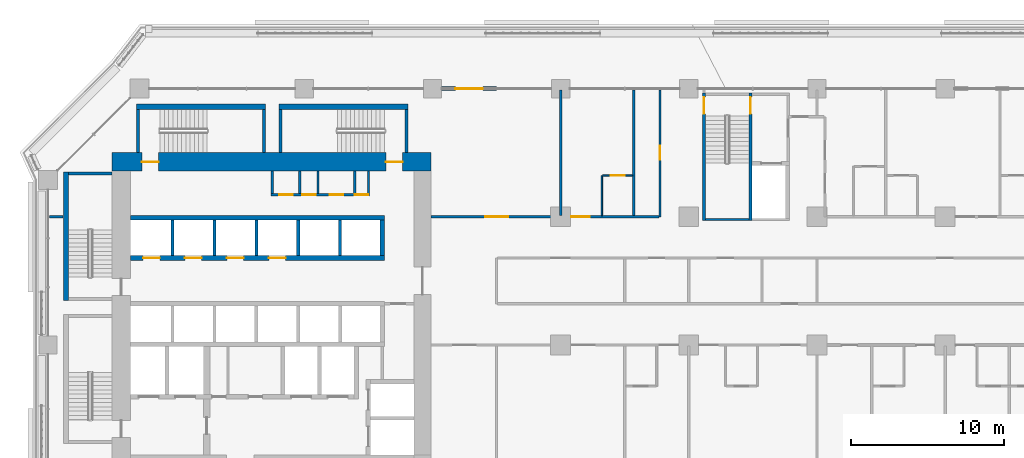
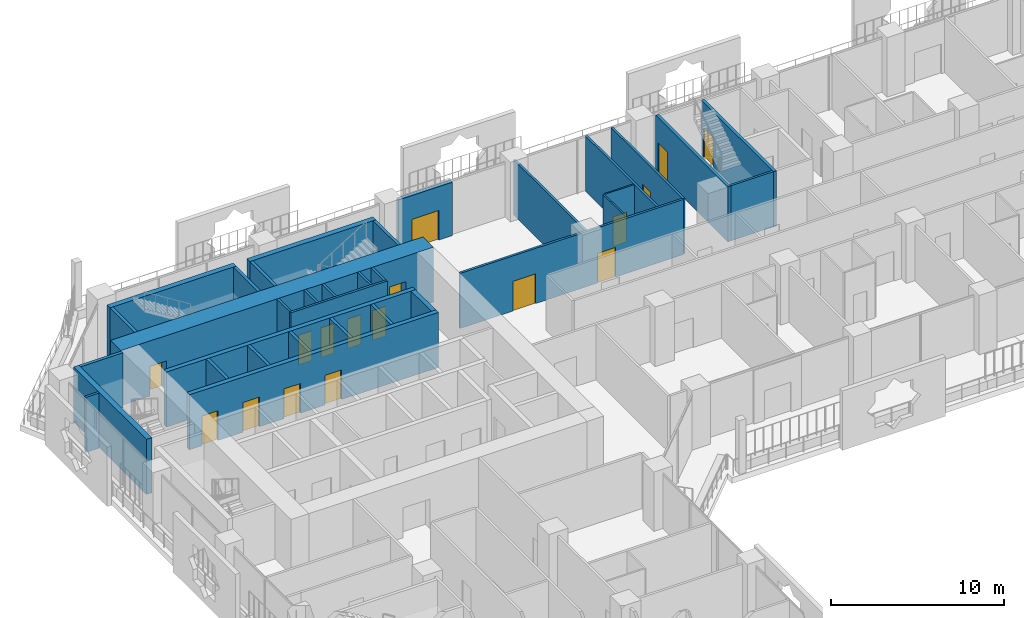
# One storey, part 17 of 27: 34 walls, 17 doors, 17 openings.
"""IFC4 building model written with IfcOpenShell, lengths in metres."""

import ifcopenshell
import ifcopenshell.guid

model = None  # the IFC model being written
_history = None  # IfcOwnerHistory: only IFC2X3 demands one
_inside = {}  # id of a spatial element -> (the spatial element, [elements in it])
_under = {}  # id of a project, library or spatial element -> (it, [spatial elements below it])
_declared = {}  # id of a project -> (the project, [libraries it declares])
_typed = {}  # id of a type object -> (the type object, [elements of that type])
_made_of = {}  # id of a material, layer set ... -> (it, [elements and type objects made of it])


def new_model(schema):
    """Start an empty IFC model of exactly this schema.

    Asked for "IFC4X3", IfcOpenShell would pick the latest addendum, in which some entities
    have other attributes; the version numbers below select the first issue.
    IFC2X3 requires an IfcOwnerHistory on every rooted entity: one is made here for all.
    """
    global model, _history
    if schema == "IFC4X3":
        model = ifcopenshell.file(schema_version=(4, 3, 0, 0))
    else:
        model = ifcopenshell.file(schema=schema)
    _inside.clear()
    _under.clear()
    _declared.clear()
    _typed.clear()
    _made_of.clear()
    _history = None
    if model.schema == "IFC2X3":
        org = make("IfcOrganization", Name="unknown")
        user = make(
            "IfcPersonAndOrganization",
            ThePerson=make("IfcPerson", FamilyName="unknown"),
            TheOrganization=org,
        )
        app = make(
            "IfcApplication",
            ApplicationDeveloper=org,
            Version="unknown",
            ApplicationFullName="unknown",
            ApplicationIdentifier="unknown",
        )
        _history = make(
            "IfcOwnerHistory",
            OwningUser=user,
            OwningApplication=app,
            ChangeAction="ADDED",
            CreationDate=0,
        )
    return model


def make(cls, **values):
    """One entity of the class cls with the attributes given. An attribute that is None is left unset."""
    return model.create_entity(
        cls, **{name: value for name, value in values.items() if value is not None}
    )


def rooted(cls, **values):
    """An entity with a GlobalId (a new one), such as an element, a storey or a relation."""
    return make(cls, GlobalId=ifcopenshell.guid.new(), OwnerHistory=_history, **values)


def si_unit(unit_type, name, prefix=None):
    """IfcSIUnit, for example si_unit("LENGTHUNIT", "METRE", prefix="MILLI")."""
    return make("IfcSIUnit", UnitType=unit_type, Prefix=prefix, Name=name)


def assignment(units):
    """IfcUnitAssignment: the units of a project."""
    return None if units is None else make("IfcUnitAssignment", Units=units)


def point(xyz):
    """IfcCartesianPoint."""
    return None if xyz is None else make("IfcCartesianPoint", Coordinates=xyz)


def direction(xyz):
    """IfcDirection."""
    return None if xyz is None else make("IfcDirection", DirectionRatios=xyz)


def frame(location, z_axis=None, x_axis=None):
    """IfcAxis2Placement3D, a coordinate frame: its origin and axes. An axis left out is left unset."""
    return make(
        "IfcAxis2Placement3D",
        Location=point(location),
        Axis=direction(z_axis),
        RefDirection=direction(x_axis),
    )


def frame_2d(location, x_axis=None):
    """IfcAxis2Placement2D, a coordinate frame in the plane: its origin and x axis."""
    return make(
        "IfcAxis2Placement2D", Location=point(location), RefDirection=direction(x_axis)
    )


def origin():
    """The frame at (0, 0, 0) with its axes left unset."""
    return frame((0.0, 0.0, 0.0))


def place(relative_to, where):
    """IfcLocalPlacement: puts the frame where relative to a parent placement (None: the world)."""
    return make(
        "IfcLocalPlacement", PlacementRelTo=relative_to, RelativePlacement=where
    )


def context(
    kind, dimensions, precision=None, world=None, true_north=None, identifier=None
):
    """IfcGeometricRepresentationContext, for example the 3D "Model" context."""
    return make(
        "IfcGeometricRepresentationContext",
        ContextIdentifier=identifier,
        ContextType=kind,
        CoordinateSpaceDimension=dimensions,
        Precision=precision,
        WorldCoordinateSystem=world,
        TrueNorth=true_north,
    )


def subcontext(parent, identifier, kind, view, scale=None):
    """IfcGeometricRepresentationSubContext, for example "Body" below "Model"."""
    return make(
        "IfcGeometricRepresentationSubContext",
        ContextIdentifier=identifier,
        ContextType=kind,
        ParentContext=parent,
        TargetScale=scale,
        TargetView=view,
    )


def project(units=None, contexts=None):
    """IfcProject with its units and contexts."""
    return rooted(
        "IfcProject",
        Name="project",
        RepresentationContexts=contexts,
        UnitsInContext=assignment(units),
    )


def spatial(cls, under=None, at=None, **own):
    """A site, building, storey or space (cls), placed at a placement, below another one or the project."""
    s = rooted(cls, ObjectPlacement=at, **own)
    if under is not None:
        _under.setdefault(under.id(), (under, []))[1].append(s)
    return s


def profile(cls, at=None, kind="AREA", **sizes):
    """A parametric profile (cls). Its sizes go by their IFC names, for example OverallWidth=200.0."""
    return make(cls, ProfileType=kind, Position=at, **sizes)


def rectangle(**sizes):
    """IfcRectangleProfileDef."""
    return profile("IfcRectangleProfileDef", **sizes)


def extrude(swept, where, along, depth):
    """IfcExtrudedAreaSolid: the profile swept, set in the frame where, extruded along a direction by depth."""
    return make(
        "IfcExtrudedAreaSolid",
        SweptArea=swept,
        Position=where,
        ExtrudedDirection=direction(along),
        Depth=depth,
    )


def shape(context_of_items, identifier, shape_type, items):
    """IfcShapeRepresentation: the items that make up one representation, for example the "Body"."""
    return make(
        "IfcShapeRepresentation",
        ContextOfItems=context_of_items,
        RepresentationIdentifier=identifier,
        RepresentationType=shape_type,
        Items=items,
    )


def material(Name=None, Category=None):
    """IfcMaterial."""
    return make("IfcMaterial", Name=Name, Category=Category)


def layer(
    of_material, thickness, ventilated=None, Name=None, Category=None, Priority=None
):
    """IfcMaterialLayer: one layer of a wall or slab, of a material (None: an air gap)."""
    return make(
        "IfcMaterialLayer",
        Material=of_material,
        LayerThickness=thickness,
        IsVentilated=ventilated,
        Name=Name,
        Category=Category,
        Priority=Priority,
    )


def layer_set(layers, Name=None):
    """IfcMaterialLayerSet."""
    return make("IfcMaterialLayerSet", MaterialLayers=layers, LayerSetName=Name)


def made_of(thing, what):
    """Note that an element or type object is made of a material, layer set ...; save() writes the relation."""
    if what is not None:
        _made_of.setdefault(what.id(), (what, []))[1].append(thing)
    return thing


def type_object(cls, material=None, **own):
    """A type object (cls), such as IfcWallType, which elements share."""
    return made_of(rooted(cls, **own), material)


def element(
    cls,
    number,
    at=None,
    inside=None,
    cuts=None,
    type_object=None,
    material=None,
    context=None,
    identifier="Body",
    shape_type=None,
    held_by="IfcProductDefinitionShape",
    body=None,
    shapes=None,
    **own,
):
    """One element of the class cls, such as IfcWall. Its Tag is "e" and its number.

    at: its placement. inside: the storey or other place that contains it. cuts: it is an
    opening in that element (IfcRelVoidsElement). A single representation is given by context,
    identifier, shape_type and body (its items); several are given by shapes. held_by: the class
    of the entity that holds the representations. save() writes the other relations.
    """
    e = rooted(cls, Tag="e%d" % number, ObjectPlacement=at, **own)
    if body is not None:
        shapes = [shape(context, identifier, shape_type, body)]
    if shapes is not None:
        e.Representation = make(held_by, Representations=shapes)
    if inside is not None:
        _inside.setdefault(inside.id(), (inside, []))[1].append(e)
    if cuts is not None:
        rooted(
            "IfcRelVoidsElement", RelatingBuildingElement=cuts, RelatedOpeningElement=e
        )
    if type_object is not None:
        _typed.setdefault(type_object.id(), (type_object, []))[1].append(e)
    return made_of(e, material)


def fill(opening, filler):
    """IfcRelFillsElement: the door or window that sits in an opening."""
    return rooted(
        "IfcRelFillsElement",
        RelatingOpeningElement=opening,
        RelatedBuildingElement=filler,
    )


def aggregate(whole, parts):
    """IfcRelAggregates: a whole, such as a stair, and the parts it consists of."""
    return rooted("IfcRelAggregates", RelatingObject=whole, RelatedObjects=parts)


def save(model, path):
    """Write the relations noted so far, then the file.

    IfcRelAggregates (storeys below a building ...), IfcRelContainedInSpatialStructure (elements
    in a storey), IfcRelDefinesByType, IfcRelAssociatesMaterial and IfcRelDeclares: one each for
    every whole, place, type object, material and project.
    """
    for whole, parts in _under.values():
        aggregate(whole, parts)
    for where, things in _inside.values():
        rooted(
            "IfcRelContainedInSpatialStructure",
            RelatedElements=things,
            RelatingStructure=where,
        )
    for kind, things in _typed.values():
        rooted("IfcRelDefinesByType", RelatedObjects=things, RelatingType=kind)
    for what, things in _made_of.values():
        rooted("IfcRelAssociatesMaterial", RelatedObjects=things, RelatingMaterial=what)
    for by, libraries in _declared.values():
        rooted("IfcRelDeclares", RelatingContext=by, RelatedDefinitions=libraries)
    model.write(path)


model = new_model("IFC4")

# Units and contexts
model_context = context("Model", 3, precision=1e-05, world=origin(), true_north=direction((0.0, 1.0)))
body_context = subcontext(model_context, "Body", "Model", "MODEL_VIEW")
ifc_project = project(units=[si_unit("LENGTHUNIT", "METRE"), si_unit("AREAUNIT", "SQUARE_METRE"), si_unit("VOLUMEUNIT", "CUBIC_METRE"), si_unit("PLANEANGLEUNIT", "RADIAN"), si_unit("MASSUNIT", "GRAM", prefix="KILO")], contexts=[model_context])

# Site, building, storey
site_placement = place(None, origin())
site = spatial("IfcSite", under=ifc_project, at=site_placement, CompositionType="ELEMENT")
building_placement = place(site_placement, origin())
building = spatial("IfcBuilding", under=site, at=building_placement, Name="Kawkab Arch Medical Tower", CompositionType="ELEMENT")
storey_placement = place(building_placement, frame((0.0, 0.0, 85.39990234375)))
storey = spatial("IfcBuildingStorey", under=building, at=storey_placement, Name="L19", CompositionType="ELEMENT", Elevation=85.39990234375)

# Wall, openings, doors
ifc_material_1 = material(Name="Concrete C60/75", Category="concrete")
ifc_layer_1 = layer(ifc_material_1, 1.199951171875)
ifc_layer_set_1 = layer_set([ifc_layer_1], Name="Concrete C60/75")
wall_type_1 = type_object("IfcWallType", Name="Core ring wall 1200 C60/75", PredefinedType="SHEAR", material=ifc_layer_set_1)
wall_1_placement = place(storey_placement, frame((4.199951171875, -4.800048828125, 0.0), z_axis=(0.0, 0.0, 1.0), x_axis=(1.0, 0.0, 0.0)))
wall_1 = element("IfcWall", 1, at=wall_1_placement, inside=storey, type_object=wall_type_1, Name="L19 core wall", PredefinedType="SHEAR", context=body_context, shape_type="SweptSolid", body=[
    extrude(rectangle(XDim=20.900146484375, YDim=1.199951171875, at=frame_2d((10.4501953125, 0.0))), origin(), (0.0, 0.0, 1.0), 3.900146484375),
])
opening_1_placement = place(wall_1_placement, frame((1.949951171875, 0.0, 0.0)))
opening_1 = element("IfcOpeningElement", 2, at=opening_1_placement, cuts=wall_1, Name="Opening SD", PredefinedType="OPENING", context=body_context, shape_type="SweptSolid", body=[
    extrude(rectangle(XDim=1.10009765625, YDim=2.10009765625, at=frame_2d((0.550048828125, 1.050048828125))), frame((0.0, 0.60986328125, 0.0), z_axis=(0.0, -1.0, 0.0), x_axis=(1.0, 0.0, 0.0)), (0.0, 0.0, 1.0), 1.219970703125),
])
opening_2_placement = place(wall_1_placement, frame((17.949951171875, 0.0, 0.0)))
opening_2 = element("IfcOpeningElement", 3, at=opening_2_placement, cuts=wall_1, Name="Opening SD", PredefinedType="OPENING", context=body_context, shape_type="SweptSolid", body=[
    extrude(rectangle(XDim=1.10009765625, YDim=2.10009765625, at=frame_2d((0.550048828125, 1.050048828125))), frame((0.0, 0.60986328125, 0.0), z_axis=(0.0, -1.0, 0.0), x_axis=(1.0, 0.0, 0.0)), (0.0, 0.0, 1.0), 1.219970703125),
])
ifc_material_2 = material(Name="Hollow metal fire door leaf")
door_type_1 = type_object("IfcDoorType", Name="Exit stair door 1100", OperationType="SINGLE_SWING_LEFT", PredefinedType="DOOR", material=ifc_material_2)
door_1_placement = place(opening_1_placement, origin())
door_1 = element("IfcDoor", 4, at=door_1_placement, inside=storey, type_object=door_type_1, Name="L19 Exit stair ST3 door", OperationType="SINGLE_SWING_LEFT", OverallHeight=2.10009765625, OverallWidth=1.10009765625, PredefinedType="DOOR", context=body_context, shape_type="SweptSolid", body=[
    extrude(rectangle(XDim=1.10009765625, YDim=2.10009765625, at=frame_2d((0.550048828125, 1.050048828125))), frame((0.0, 0.02490234375, 0.0), z_axis=(0.0, -1.0, 0.0), x_axis=(1.0, 0.0, 0.0)), (0.0, 0.0, 1.0), 0.050048828125),
])
fill(opening_1, door_1)
door_2_placement = place(opening_2_placement, origin())
door_2 = element("IfcDoor", 5, at=door_2_placement, inside=storey, type_object=door_type_1, Name="L19 Exit stair ST4 door", OperationType="SINGLE_SWING_LEFT", OverallHeight=2.10009765625, OverallWidth=1.10009765625, PredefinedType="DOOR", context=body_context, shape_type="SweptSolid", body=[
    extrude(rectangle(XDim=1.10009765625, YDim=2.10009765625, at=frame_2d((0.550048828125, 1.050048828125))), frame((0.0, 0.02490234375, 0.0), z_axis=(0.0, -1.0, 0.0), x_axis=(1.0, 0.0, 0.0)), (0.0, 0.0, 1.0), 0.050048828125),
])
fill(opening_2, door_2)

ifc_material_3 = material(Name="Gypsum board on steel studs", Category="steel")
ifc_layer_2 = layer(ifc_material_3, 0.14990234375)
ifc_layer_set_2 = layer_set([ifc_layer_2], Name="Gypsum board on steel studs")
wall_type_2 = type_object("IfcWallType", Name="Core room partition 150", PredefinedType="PARTITIONING", material=ifc_layer_set_2)
wall_2_placement = place(storey_placement, frame((14.625, -6.949951171875, 0.0), z_axis=(0.0, 0.0, 1.0), x_axis=(1.0, 0.0, 0.0)))
wall_2 = element("IfcWall", 6, at=wall_2_placement, inside=storey, type_object=wall_type_2, Name="L19 core room partition", PredefinedType="PARTITIONING", context=body_context, shape_type="SweptSolid", body=[
    extrude(rectangle(XDim=6.449951171875, YDim=0.14990234375, at=frame_2d((3.22509765625, 0.0))), origin(), (0.0, 0.0, 1.0), 3.900146484375),
])
opening_3_placement = place(wall_2_placement, frame((0.52490234375, 0.0, 0.0)))
opening_3 = element("IfcOpeningElement", 7, at=opening_3_placement, cuts=wall_2, Name="Opening RD", PredefinedType="OPENING", context=body_context, shape_type="SweptSolid", body=[
    extrude(rectangle(XDim=0.89990234375, YDim=2.10009765625, at=frame_2d((0.449951171875, 1.050048828125))), frame((0.0, 0.0849609375, 0.0), z_axis=(0.0, -1.0, 0.0), x_axis=(1.0, 0.0, 0.0)), (0.0, 0.0, 1.0), 0.169921875),
])
opening_4_placement = place(wall_2_placement, frame((2.02490234375, 0.0, 0.0)))
opening_4 = element("IfcOpeningElement", 8, at=opening_4_placement, cuts=wall_2, Name="Opening RD", PredefinedType="OPENING", context=body_context, shape_type="SweptSolid", body=[
    extrude(rectangle(XDim=0.89990234375, YDim=2.10009765625, at=frame_2d((0.449951171875, 1.050048828125))), frame((0.0, 0.0849609375, 0.0), z_axis=(0.0, -1.0, 0.0), x_axis=(1.0, 0.0, 0.0)), (0.0, 0.0, 1.0), 0.169921875),
])
opening_5_placement = place(wall_2_placement, frame((3.824951171875, 0.0, 0.0)))
opening_5 = element("IfcOpeningElement", 9, at=opening_5_placement, cuts=wall_2, Name="Opening RD", PredefinedType="OPENING", context=body_context, shape_type="SweptSolid", body=[
    extrude(rectangle(XDim=0.89990234375, YDim=2.10009765625, at=frame_2d((0.449951171875, 1.050048828125))), frame((0.0, 0.0849609375, 0.0), z_axis=(0.0, -1.0, 0.0), x_axis=(1.0, 0.0, 0.0)), (0.0, 0.0, 1.0), 0.169921875),
])
opening_6_placement = place(wall_2_placement, frame((5.47509765625, 0.0, 0.0)))
opening_6 = element("IfcOpeningElement", 10, at=opening_6_placement, cuts=wall_2, Name="Opening RD", PredefinedType="OPENING", context=body_context, shape_type="SweptSolid", body=[
    extrude(rectangle(XDim=0.89990234375, YDim=2.10009765625, at=frame_2d((0.449951171875, 1.050048828125))), frame((0.0, 0.0849609375, 0.0), z_axis=(0.0, -1.0, 0.0), x_axis=(1.0, 0.0, 0.0)), (0.0, 0.0, 1.0), 0.169921875),
])
ifc_material_4 = material(Name="Hollow metal fire door leaf")
door_type_2 = type_object("IfcDoorType", Name="Core room door 900", OperationType="SINGLE_SWING_LEFT", PredefinedType="DOOR", material=ifc_material_4)
door_3_placement = place(opening_3_placement, origin())
door_3 = element("IfcDoor", 11, at=door_3_placement, inside=storey, type_object=door_type_2, Name="L19 Data room door", OperationType="SINGLE_SWING_LEFT", OverallHeight=2.10009765625, OverallWidth=0.89990234375, PredefinedType="DOOR", context=body_context, shape_type="SweptSolid", body=[
    extrude(rectangle(XDim=0.89990234375, YDim=2.10009765625, at=frame_2d((0.449951171875, 1.050048828125))), frame((0.0, 0.02490234375, 0.0), z_axis=(0.0, -1.0, 0.0), x_axis=(1.0, 0.0, 0.0)), (0.0, 0.0, 1.0), 0.050048828125),
])
fill(opening_3, door_3)
door_4_placement = place(opening_4_placement, origin())
door_4 = element("IfcDoor", 12, at=door_4_placement, inside=storey, type_object=door_type_2, Name="L19 Electrical riser room door", OperationType="SINGLE_SWING_LEFT", OverallHeight=2.10009765625, OverallWidth=0.89990234375, PredefinedType="DOOR", context=body_context, shape_type="SweptSolid", body=[
    extrude(rectangle(XDim=0.89990234375, YDim=2.10009765625, at=frame_2d((0.449951171875, 1.050048828125))), frame((0.0, 0.02490234375, 0.0), z_axis=(0.0, -1.0, 0.0), x_axis=(1.0, 0.0, 0.0)), (0.0, 0.0, 1.0), 0.050048828125),
])
fill(opening_4, door_4)
door_5_placement = place(opening_5_placement, origin())
door_5 = element("IfcDoor", 13, at=door_5_placement, inside=storey, type_object=door_type_2, Name="L19 Equipment store door", OperationType="SINGLE_SWING_LEFT", OverallHeight=2.10009765625, OverallWidth=0.89990234375, PredefinedType="DOOR", context=body_context, shape_type="SweptSolid", body=[
    extrude(rectangle(XDim=0.89990234375, YDim=2.10009765625, at=frame_2d((0.449951171875, 1.050048828125))), frame((0.0, 0.02490234375, 0.0), z_axis=(0.0, -1.0, 0.0), x_axis=(1.0, 0.0, 0.0)), (0.0, 0.0, 1.0), 0.050048828125),
])
fill(opening_5, door_5)
door_6_placement = place(opening_6_placement, origin())
door_6 = element("IfcDoor", 14, at=door_6_placement, inside=storey, type_object=door_type_2, Name="L19 General store door", OperationType="SINGLE_SWING_LEFT", OverallHeight=2.10009765625, OverallWidth=0.89990234375, PredefinedType="DOOR", context=body_context, shape_type="SweptSolid", body=[
    extrude(rectangle(XDim=0.89990234375, YDim=2.10009765625, at=frame_2d((0.449951171875, 1.050048828125))), frame((0.0, 0.02490234375, 0.0), z_axis=(0.0, -1.0, 0.0), x_axis=(1.0, 0.0, 0.0)), (0.0, 0.0, 1.0), 0.050048828125),
])
fill(opening_6, door_6)

# Walls
for number, where, z_axis, x_axis, name in (
    (15, (14.699951171875, -6.875, 0.0), (0.0, 0.0, 1.0), (0.0, 1.0, 0.0), "L19 core room partition"),
    (16, (16.5, -6.875, 0.0), (0.0, 0.0, 1.0), (0.0, 1.0, 0.0), "L19 core room partition"),
    (17, (17.699951171875, -6.875, 0.0), (0.0, 0.0, 1.0), (0.0, 1.0, 0.0), "L19 core room partition"),
    (18, (20.10009765625, -6.875, 0.0), (0.0, 0.0, 1.0), (0.0, 1.0, 0.0), "L19 core room partition"),
    (19, (21.0, -6.875, 0.0), (0.0, 0.0, 1.0), (0.0, 1.0, 0.0), "L19 core room partition"),
):
    element("IfcWall", number, at=place(storey_placement, frame(where, z_axis=z_axis, x_axis=x_axis)), inside=storey, type_object=wall_type_2, Name=name, PredefinedType="PARTITIONING", context=body_context, shape_type="SweptSolid", body=[
        extrude(rectangle(XDim=1.47509765625, YDim=0.14990234375, at=frame_2d((0.737548828125, 0.0))), origin(), (0.0, 0.0, 1.0), 3.900146484375),
    ])
ifc_material_5 = material(Name="Concrete C60/75", Category="concrete")
ifc_layer_3 = layer(ifc_material_5, 0.300048828125)
ifc_layer_set_3 = layer_set([ifc_layer_3], Name="Concrete C60/75")
wall_type_3 = type_object("IfcWallType", Name="Core shear wall 300 C60/75", PredefinedType="SHEAR", material=ifc_layer_set_3)
wall_3_placement = place(storey_placement, frame((5.39990234375, -8.449951171875, 0.0), z_axis=(0.0, 0.0, 1.0), x_axis=(1.0, 0.0, 0.0)))
element("IfcWall", 20, at=wall_3_placement, inside=storey, type_object=wall_type_3, Name="L19 core shear wall", PredefinedType="SHEAR", context=body_context, shape_type="SweptSolid", body=[
    extrude(rectangle(XDim=16.650146484375, YDim=0.300048828125, at=frame_2d((8.3251953125, 0.0))), origin(), (0.0, 0.0, 1.0), 3.900146484375),
])

# Wall, openings, doors
wall_4_placement = place(storey_placement, frame((5.39990234375, -11.10009765625, 0.0), z_axis=(0.0, 0.0, 1.0), x_axis=(1.0, 0.0, 0.0)))
wall_4 = element("IfcWall", 21, at=wall_4_placement, inside=storey, type_object=wall_type_3, Name="L19 core shear wall", PredefinedType="SHEAR", context=body_context, shape_type="SweptSolid", body=[
    extrude(rectangle(XDim=16.650146484375, YDim=0.300048828125, at=frame_2d((8.3251953125, 0.0))), origin(), (0.0, 0.0, 1.0), 3.900146484375),
])
opening_7_placement = place(wall_4_placement, frame((0.824951171875, 0.0, 0.0)))
opening_7 = element("IfcOpeningElement", 22, at=opening_7_placement, cuts=wall_4, Name="Opening LD1", PredefinedType="OPENING", context=body_context, shape_type="SweptSolid", body=[
    extrude(rectangle(XDim=1.10009765625, YDim=2.10009765625, at=frame_2d((0.550048828125, 1.050048828125))), frame((0.0, 0.159912109375, 0.0), z_axis=(0.0, -1.0, 0.0), x_axis=(1.0, 0.0, 0.0)), (0.0, 0.0, 1.0), 0.320068359375),
])
opening_8_placement = place(wall_4_placement, frame((3.574951171875, 0.0, 0.0)))
opening_8 = element("IfcOpeningElement", 23, at=opening_8_placement, cuts=wall_4, Name="Opening LD1", PredefinedType="OPENING", context=body_context, shape_type="SweptSolid", body=[
    extrude(rectangle(XDim=1.10009765625, YDim=2.10009765625, at=frame_2d((0.550048828125, 1.050048828125))), frame((0.0, 0.159912109375, 0.0), z_axis=(0.0, -1.0, 0.0), x_axis=(1.0, 0.0, 0.0)), (0.0, 0.0, 1.0), 0.320068359375),
])
opening_9_placement = place(wall_4_placement, frame((6.324951171875, 0.0, 0.0)))
opening_9 = element("IfcOpeningElement", 24, at=opening_9_placement, cuts=wall_4, Name="Opening LD1", PredefinedType="OPENING", context=body_context, shape_type="SweptSolid", body=[
    extrude(rectangle(XDim=1.10009765625, YDim=2.10009765625, at=frame_2d((0.550048828125, 1.050048828125))), frame((0.0, 0.159912109375, 0.0), z_axis=(0.0, -1.0, 0.0), x_axis=(1.0, 0.0, 0.0)), (0.0, 0.0, 1.0), 0.320068359375),
])
opening_10_placement = place(wall_4_placement, frame((9.074951171875, 0.0, 0.0)))
opening_10 = element("IfcOpeningElement", 25, at=opening_10_placement, cuts=wall_4, Name="Opening LD1", PredefinedType="OPENING", context=body_context, shape_type="SweptSolid", body=[
    extrude(rectangle(XDim=1.10009765625, YDim=2.10009765625, at=frame_2d((0.550048828125, 1.050048828125))), frame((0.0, 0.159912109375, 0.0), z_axis=(0.0, -1.0, 0.0), x_axis=(1.0, 0.0, 0.0)), (0.0, 0.0, 1.0), 0.320068359375),
])
ifc_material_6 = material(Name="Stainless steel lift door leaf", Category="steel")
door_type_3 = type_object("IfcDoorType", Name="Lift landing door 1100", OperationType="DOUBLE_DOOR_SLIDING", PredefinedType="DOOR", material=ifc_material_6)
door_7_placement = place(opening_7_placement, origin())
door_7 = element("IfcDoor", 26, at=door_7_placement, inside=storey, type_object=door_type_3, Name="L19 Lift landing door LP1", OperationType="DOUBLE_DOOR_SLIDING", OverallHeight=2.10009765625, OverallWidth=1.10009765625, PredefinedType="DOOR", context=body_context, shape_type="SweptSolid", body=[
    extrude(rectangle(XDim=1.10009765625, YDim=2.10009765625, at=frame_2d((0.550048828125, 1.050048828125))), frame((0.0, 0.02490234375, 0.0), z_axis=(0.0, -1.0, 0.0), x_axis=(1.0, 0.0, 0.0)), (0.0, 0.0, 1.0), 0.050048828125),
])
fill(opening_7, door_7)
door_8_placement = place(opening_8_placement, origin())
door_8 = element("IfcDoor", 27, at=door_8_placement, inside=storey, type_object=door_type_3, Name="L19 Lift landing door LP2", OperationType="DOUBLE_DOOR_SLIDING", OverallHeight=2.10009765625, OverallWidth=1.10009765625, PredefinedType="DOOR", context=body_context, shape_type="SweptSolid", body=[
    extrude(rectangle(XDim=1.10009765625, YDim=2.10009765625, at=frame_2d((0.550048828125, 1.050048828125))), frame((0.0, 0.02490234375, 0.0), z_axis=(0.0, -1.0, 0.0), x_axis=(1.0, 0.0, 0.0)), (0.0, 0.0, 1.0), 0.050048828125),
])
fill(opening_8, door_8)
door_9_placement = place(opening_9_placement, origin())
door_9 = element("IfcDoor", 28, at=door_9_placement, inside=storey, type_object=door_type_3, Name="L19 Lift landing door LP3", OperationType="DOUBLE_DOOR_SLIDING", OverallHeight=2.10009765625, OverallWidth=1.10009765625, PredefinedType="DOOR", context=body_context, shape_type="SweptSolid", body=[
    extrude(rectangle(XDim=1.10009765625, YDim=2.10009765625, at=frame_2d((0.550048828125, 1.050048828125))), frame((0.0, 0.02490234375, 0.0), z_axis=(0.0, -1.0, 0.0), x_axis=(1.0, 0.0, 0.0)), (0.0, 0.0, 1.0), 0.050048828125),
])
fill(opening_9, door_9)
door_10_placement = place(opening_10_placement, origin())
door_10 = element("IfcDoor", 29, at=door_10_placement, inside=storey, type_object=door_type_3, Name="L19 Lift landing door LP4", OperationType="DOUBLE_DOOR_SLIDING", OverallHeight=2.10009765625, OverallWidth=1.10009765625, PredefinedType="DOOR", context=body_context, shape_type="SweptSolid", body=[
    extrude(rectangle(XDim=1.10009765625, YDim=2.10009765625, at=frame_2d((0.550048828125, 1.050048828125))), frame((0.0, 0.02490234375, 0.0), z_axis=(0.0, -1.0, 0.0), x_axis=(1.0, 0.0, 0.0)), (0.0, 0.0, 1.0), 0.050048828125),
])
fill(opening_10, door_10)

# Wall
wall_5_placement = place(storey_placement, frame((21.89990234375, -10.949951171875, 0.0), z_axis=(0.0, 0.0, 1.0), x_axis=(0.0, 1.0, 0.0)))
element("IfcWall", 30, at=wall_5_placement, inside=storey, type_object=wall_type_3, Name="L19 core shear wall", PredefinedType="SHEAR", context=body_context, shape_type="SweptSolid", body=[
    extrude(rectangle(XDim=2.349853515625, YDim=0.300048828125, at=frame_2d((1.1748046875, 0.0))), origin(), (0.0, 0.0, 1.0), 3.900146484375),
])

# Wall, opening, door
ifc_material_7 = material(Name="Bronze clad insulated wall panel")
ifc_layer_4 = layer(ifc_material_7, 0.25)
ifc_layer_set_4 = layer_set([ifc_layer_4], Name="Bronze clad insulated wall panel")
wall_type_4 = type_object("IfcWallType", Name="External wall bay 250", PredefinedType="SOLIDWALL", material=ifc_layer_set_4)
wall_6_placement = place(storey_placement, frame((29.39990234375, 0.0, 0.0), z_axis=(0.0, 0.0, 1.0), x_axis=(-1.0, 0.0, 0.0)))
wall_6 = element("IfcWall", 31, at=wall_6_placement, inside=storey, type_object=wall_type_4, Name="External wall bay L19.R11.6.2", PredefinedType="SOLIDWALL", context=body_context, shape_type="SweptSolid", body=[
    extrude(rectangle(XDim=3.599853515625, YDim=0.25, at=frame_2d((1.7998046875, 0.0))), origin(), (0.0, 0.0, 1.0), 3.780029296875),
])
opening_11_placement = place(wall_6_placement, frame((0.89990234375, 0.0, 0.0)))
opening_11 = element("IfcOpeningElement", 32, at=opening_11_placement, cuts=wall_6, Name="Opening W15B-702", PredefinedType="OPENING", context=body_context, shape_type="SweptSolid", body=[
    extrude(rectangle(XDim=1.800048828125, YDim=2.10009765625, at=frame_2d((0.89990234375, 1.050048828125))), frame((0.0, 0.135009765625, 0.0), z_axis=(0.0, -1.0, 0.0), x_axis=(1.0, 0.0, 0.0)), (0.0, 0.0, 1.0), 0.27001953125),
])
ifc_material_8 = material(Name="Bronze anodised aluminium door with tinted glass", Category="aluminium")
door_type_4 = type_object("IfcDoorType", Name="Double external door 1800 x 2100", OperationType="DOUBLE_DOOR_SINGLE_SWING", PredefinedType="DOOR", material=ifc_material_8)
door_11_placement = place(opening_11_placement, origin())
door_11 = element("IfcDoor", 33, at=door_11_placement, inside=storey, type_object=door_type_4, Name="External door L19.R11.6.2", OperationType="DOUBLE_DOOR_SINGLE_SWING", OverallHeight=2.10009765625, OverallWidth=1.800048828125, PredefinedType="DOOR", context=body_context, shape_type="SweptSolid", body=[
    extrude(rectangle(XDim=1.800048828125, YDim=2.10009765625, at=frame_2d((0.89990234375, 1.050048828125))), frame((0.0, 0.02490234375, 0.0), z_axis=(0.0, -1.0, 0.0), x_axis=(1.0, 0.0, 0.0)), (0.0, 0.0, 1.0), 0.050048828125),
])
fill(opening_11, door_11)

# Walls
ifc_material_9 = material(Name="Dense concrete blockwork", Category="masonry")
ifc_layer_5 = layer(ifc_material_9, 0.199951171875)
ifc_layer_set_5 = layer_set([ifc_layer_5], Name="Dense concrete blockwork")
wall_type_5 = type_object("IfcWallType", Name="Lift shaft partition 200", PredefinedType="PARTITIONING", material=ifc_layer_set_5)
for number, where, z_axis, x_axis, name in (
    (34, (8.14990234375, -10.949951171875, 0.0), (0.0, 0.0, 1.0), (0.0, 1.0, 0.0), "L19 lift shaft partition"),
    (35, (10.89990234375, -10.949951171875, 0.0), (0.0, 0.0, 1.0), (0.0, 1.0, 0.0), "L19 lift shaft partition"),
    (36, (13.64990234375, -10.949951171875, 0.0), (0.0, 0.0, 1.0), (0.0, 1.0, 0.0), "L19 lift shaft partition"),
    (37, (16.39990234375, -10.949951171875, 0.0), (0.0, 0.0, 1.0), (0.0, 1.0, 0.0), "L19 lift shaft partition"),
    (38, (19.14990234375, -10.949951171875, 0.0), (0.0, 0.0, 1.0), (0.0, 1.0, 0.0), "L19 lift shaft partition"),
):
    element("IfcWall", number, at=place(storey_placement, frame(where, z_axis=z_axis, x_axis=x_axis)), inside=storey, type_object=wall_type_5, Name=name, PredefinedType="PARTITIONING", context=body_context, shape_type="SweptSolid", body=[
        extrude(rectangle(XDim=2.349853515625, YDim=0.199951171875, at=frame_2d((1.1748046875, 0.0))), origin(), (0.0, 0.0, 1.0), 3.900146484375),
    ])

# Wall, opening, door
ifc_material_10 = material(Name="Gypsum board partition on steel studs", Category="steel")
ifc_layer_6 = layer(ifc_material_10, 0.10009765625)
ifc_layer_set_6 = layer_set([ifc_layer_6], Name="Gypsum board partition on steel studs")
wall_type_6 = type_object("IfcWallType", Name="Partition 100", PredefinedType="PARTITIONING", material=ifc_layer_set_6)
wall_7_placement = place(storey_placement, frame((36.35009765625, -5.699951171875, 0.0), z_axis=(0.0, 0.0, 1.0), x_axis=(1.0, 0.0, 0.0)))
wall_7 = element("IfcWall", 39, at=wall_7_placement, inside=storey, type_object=wall_type_6, Name="Partition 100 w015", PredefinedType="PARTITIONING", context=body_context, shape_type="SweptSolid", body=[
    extrude(rectangle(XDim=1.974853515625, YDim=0.10009765625, at=frame_2d((0.9873046875, 0.0))), origin(), (0.0, 0.0, 1.0), 3.900146484375),
])
opening_12_placement = place(wall_7_placement, frame((0.550048828125, 0.0, 0.0)))
opening_12 = element("IfcOpeningElement", 40, at=opening_12_placement, cuts=wall_7, Name="Opening W15B-009", PredefinedType="OPENING", context=body_context, shape_type="SweptSolid", body=[
    extrude(rectangle(XDim=0.89990234375, YDim=2.10009765625, at=frame_2d((0.449951171875, 1.050048828125))), frame((0.0, 0.06005859375, 0.0), z_axis=(0.0, -1.0, 0.0), x_axis=(1.0, 0.0, 0.0)), (0.0, 0.0, 1.0), 0.1201171875),
])
ifc_material_11 = material(Name="Timber door leaf", Category="wood")
door_type_5 = type_object("IfcDoorType", Name="Single door 900x2100", OperationType="NOTDEFINED", PredefinedType="DOOR", material=ifc_material_11)
door_12_placement = place(opening_12_placement, origin())
door_12 = element("IfcDoor", 41, at=door_12_placement, inside=storey, type_object=door_type_5, Name="Door W15B-009", OperationType="SINGLE_SWING_RIGHT", OverallHeight=2.10009765625, OverallWidth=0.89990234375, PredefinedType="DOOR", context=body_context, shape_type="SweptSolid", body=[
    extrude(rectangle(XDim=0.89990234375, YDim=2.10009765625, at=frame_2d((0.449951171875, 1.050048828125))), frame((0.0, 0.02490234375, 0.0), z_axis=(0.0, -1.0, 0.0), x_axis=(1.0, 0.0, 0.0)), (0.0, 0.0, 1.0), 0.050048828125),
])
fill(opening_12, door_12)

# Walls
wall_8_placement = place(storey_placement, frame((36.300048828125, -8.324951171875, 0.0), z_axis=(0.0, 0.0, 1.0), x_axis=(0.0, 1.0, 0.0)))
element("IfcWall", 42, at=wall_8_placement, inside=storey, type_object=wall_type_6, Name="Partition 100 w027", PredefinedType="PARTITIONING", context=body_context, shape_type="SweptSolid", body=[
    extrude(rectangle(XDim=2.625, YDim=0.10009765625, at=frame_2d((1.3125, 0.0))), origin(), (0.0, 0.0, 1.0), 3.900146484375),
])
ifc_material_12 = material(Name="Gypsum board partition on steel studs, mineral wool", Category="steel")
ifc_layer_7 = layer(ifc_material_12, 0.14990234375)
ifc_layer_set_7 = layer_set([ifc_layer_7], Name="Gypsum board partition on steel studs, mineral wool")
wall_type_7 = type_object("IfcWallType", Name="Partition 150", PredefinedType="PARTITIONING", material=ifc_layer_set_7)
wall_9_placement = place(storey_placement, frame((0.080078125, -8.39990234375, 0.0), z_axis=(0.0, 0.0, 1.0), x_axis=(1.0, 0.0, 0.0)))
element("IfcWall", 43, at=wall_9_placement, inside=storey, type_object=wall_type_7, Name="Partition 150 w066", PredefinedType="PARTITIONING", context=body_context, shape_type="SweptSolid", body=[
    extrude(rectangle(XDim=0.889892578125, YDim=0.14990234375, at=frame_2d((0.44482421875, 0.0))), origin(), (0.0, 0.0, 1.0), 3.900146484375),
])

# Wall, openings, doors
wall_10_placement = place(storey_placement, frame((25.10009765625, -8.39990234375, 0.0), z_axis=(0.0, 0.0, 1.0), x_axis=(1.0, 0.0, 0.0)))
wall_10 = element("IfcWall", 44, at=wall_10_placement, inside=storey, type_object=wall_type_7, Name="Partition 150 w067", PredefinedType="PARTITIONING", context=body_context, shape_type="SweptSolid", body=[
    extrude(rectangle(XDim=14.931884765625, YDim=0.14990234375, at=frame_2d((7.4658203125, 0.0))), origin(), (0.0, 0.0, 1.0), 3.900146484375),
])
opening_13_placement = place(wall_10_placement, frame((3.550048828125, 0.0, 0.0)))
opening_13 = element("IfcOpeningElement", 45, at=opening_13_placement, cuts=wall_10, Name="Opening W15B-002", PredefinedType="OPENING", context=body_context, shape_type="SweptSolid", body=[
    extrude(rectangle(XDim=1.5, YDim=2.10009765625, at=frame_2d((0.75, 1.050048828125))), frame((0.0, 0.0849609375, 0.0), z_axis=(0.0, -1.0, 0.0), x_axis=(1.0, 0.0, 0.0)), (0.0, 0.0, 1.0), 0.169921875),
])
opening_14_placement = place(wall_10_placement, frame((9.199951171875, 0.0, 0.0)))
opening_14 = element("IfcOpeningElement", 46, at=opening_14_placement, cuts=wall_10, Name="Opening W15B-046", PredefinedType="OPENING", context=body_context, shape_type="SweptSolid", body=[
    extrude(rectangle(XDim=1.199951171875, YDim=2.10009765625, at=frame_2d((0.60009765625, 1.050048828125))), frame((0.0, 0.0849609375, 0.0), z_axis=(0.0, -1.0, 0.0), x_axis=(1.0, 0.0, 0.0)), (0.0, 0.0, 1.0), 0.169921875),
])
ifc_material_13 = material(Name="Hollow metal door leaf")
door_type_6 = type_object("IfcDoorType", Name="Double door 1500x2100 FD30S", OperationType="NOTDEFINED", PredefinedType="DOOR", material=ifc_material_13)
door_13_placement = place(opening_13_placement, origin())
door_13 = element("IfcDoor", 47, at=door_13_placement, inside=storey, type_object=door_type_6, Name="Door W15B-002", OperationType="DOUBLE_DOOR_SINGLE_SWING", OverallHeight=2.10009765625, OverallWidth=1.5, PredefinedType="DOOR", context=body_context, shape_type="SweptSolid", body=[
    extrude(rectangle(XDim=1.5, YDim=2.10009765625, at=frame_2d((0.75, 1.050048828125))), frame((0.0, 0.02490234375, 0.0), z_axis=(0.0, -1.0, 0.0), x_axis=(1.0, 0.0, 0.0)), (0.0, 0.0, 1.0), 0.050048828125),
])
fill(opening_13, door_13)
ifc_material_14 = material(Name="Hollow metal door leaf")
door_type_7 = type_object("IfcDoorType", Name="Single door 1200x2100 FD30S", OperationType="NOTDEFINED", PredefinedType="DOOR", material=ifc_material_14)
door_14_placement = place(opening_14_placement, origin())
door_14 = element("IfcDoor", 48, at=door_14_placement, inside=storey, type_object=door_type_7, Name="Door W15B-046", OperationType="SINGLE_SWING_RIGHT", OverallHeight=2.10009765625, OverallWidth=1.199951171875, PredefinedType="DOOR", context=body_context, shape_type="SweptSolid", body=[
    extrude(rectangle(XDim=1.199951171875, YDim=2.10009765625, at=frame_2d((0.60009765625, 1.050048828125))), frame((0.0, 0.02490234375, 0.0), z_axis=(0.0, -1.0, 0.0), x_axis=(1.0, 0.0, 0.0)), (0.0, 0.0, 1.0), 0.050048828125),
])
fill(opening_14, door_14)

# Walls
for number, where, z_axis, x_axis, name in (
    (49, (33.60009765625, -8.324951171875, 0.0), (0.0, 0.0, 1.0), (0.0, 1.0, 0.0), "Partition 150 w081"),
    (50, (38.39990234375, -8.324951171875, 0.0), (0.0, 0.0, 1.0), (0.0, 1.0, 0.0), "Partition 150 w084"),
):
    element("IfcWall", number, at=place(storey_placement, frame(where, z_axis=z_axis, x_axis=x_axis)), inside=storey, type_object=wall_type_7, Name=name, PredefinedType="PARTITIONING", context=body_context, shape_type="SweptSolid", body=[
        extrude(rectangle(XDim=8.244873046875, YDim=0.14990234375, at=frame_2d((4.12255859375, 0.0))), origin(), (0.0, 0.0, 1.0), 3.900146484375),
    ])

# Wall, opening, door
wall_11_placement = place(storey_placement, frame((40.10693359375, -8.39990234375, 0.0), z_axis=(0.0, 0.0, 1.0), x_axis=(0.0, 1.0, 0.0)))
wall_11 = element("IfcWall", 51, at=wall_11_placement, inside=storey, type_object=wall_type_7, Name="Partition 150 w085", PredefinedType="PARTITIONING", context=body_context, shape_type="SweptSolid", body=[
    extrude(rectangle(XDim=8.31982421875, YDim=0.14990234375, at=frame_2d((4.159912109375, 0.0))), origin(), (0.0, 0.0, 1.0), 3.900146484375),
])
opening_15_placement = place(wall_11_placement, frame((3.75, 0.0, 0.0)))
opening_15 = element("IfcOpeningElement", 52, at=opening_15_placement, cuts=wall_11, Name="Opening W15B-028", PredefinedType="OPENING", context=body_context, shape_type="SweptSolid", body=[
    extrude(rectangle(XDim=0.89990234375, YDim=2.10009765625, at=frame_2d((0.449951171875, 1.050048828125))), frame((0.0, 0.0849609375, 0.0), z_axis=(0.0, -1.0, 0.0), x_axis=(1.0, 0.0, 0.0)), (0.0, 0.0, 1.0), 0.169921875),
])
door_15_placement = place(opening_15_placement, origin())
door_15 = element("IfcDoor", 53, at=door_15_placement, inside=storey, type_object=door_type_5, Name="Door W15B-028", OperationType="SINGLE_SWING_LEFT", OverallHeight=2.10009765625, OverallWidth=0.89990234375, PredefinedType="DOOR", context=body_context, shape_type="SweptSolid", body=[
    extrude(rectangle(XDim=0.89990234375, YDim=2.10009765625, at=frame_2d((0.449951171875, 1.050048828125))), frame((0.0, 0.02490234375, 0.0), z_axis=(0.0, -1.0, 0.0), x_axis=(1.0, 0.0, 0.0)), (0.0, 0.0, 1.0), 0.050048828125),
])
fill(opening_15, door_15)

# Walls
ifc_material_15 = material(Name="Concrete C50/60", Category="concrete")
ifc_layer_8 = layer(ifc_material_15, 0.14990234375)
ifc_layer_set_8 = layer_set([ifc_layer_8], Name="Concrete C50/60")
wall_type_8 = type_object("IfcWallType", Name="Stair enclosure wall 150 C50/60", PredefinedType="SHEAR", material=ifc_layer_set_8)
wall_12_placement = place(storey_placement, frame((43.10009765625, -8.574951171875, 0.0), z_axis=(0.0, 0.0, 1.0), x_axis=(1.0, 0.0, 0.0)))
element("IfcWall", 54, at=wall_12_placement, inside=storey, type_object=wall_type_8, Name="L19 stair enclosure wall", PredefinedType="SHEAR", context=body_context, shape_type="SweptSolid", body=[
    extrude(rectangle(XDim=2.849853515625, YDim=0.14990234375, at=frame_2d((1.4248046875, 0.0))), origin(), (0.0, 0.0, 1.0), 3.900146484375),
])
ifc_material_16 = material(Name="Concrete C50/60", Category="concrete")
ifc_layer_9 = layer(ifc_material_16, 0.199951171875)
ifc_layer_set_9 = layer_set([ifc_layer_9], Name="Concrete C50/60")
wall_type_9 = type_object("IfcWallType", Name="Stair enclosure wall 200 C50/60", PredefinedType="SHEAR", material=ifc_layer_set_9)
for number, where, z_axis, x_axis, name in (
    (55, (1.35009765625, -5.550048828125, 0.0), (0.0, 0.0, 1.0), (1.0, 0.0, 0.0), "L19 stair enclosure wall"),
    (56, (5.89990234375, -4.199951171875, 0.0), (0.0, 0.0, 1.0), (0.0, 1.0, 0.0), "L19 stair enclosure wall"),
    (57, (14.14990234375, -4.199951171875, 0.0), (0.0, 0.0, 1.0), (0.0, 1.0, 0.0), "L19 stair enclosure wall"),
    (58, (15.25, -4.199951171875, 0.0), (0.0, 0.0, 1.0), (0.0, 1.0, 0.0), "L19 stair enclosure wall"),
    (59, (23.5, -4.199951171875, 0.0), (0.0, 0.0, 1.0), (0.0, 1.0, 0.0), "L19 stair enclosure wall"),
):
    element("IfcWall", number, at=place(storey_placement, frame(where, z_axis=z_axis, x_axis=x_axis)), inside=storey, type_object=wall_type_9, Name=name, PredefinedType="SHEAR", context=body_context, shape_type="SweptSolid", body=[
        extrude(rectangle(XDim=2.849853515625, YDim=0.199951171875, at=frame_2d((1.4248046875, 0.0))), origin(), (0.0, 0.0, 1.0), 3.900146484375),
    ])

# Wall, opening, door
wall_13_placement = place(storey_placement, frame((43.0, -8.64990234375, 0.0), z_axis=(0.0, 0.0, 1.0), x_axis=(0.0, 1.0, 0.0)))
wall_13 = element("IfcWall", 60, at=wall_13_placement, inside=storey, type_object=wall_type_9, Name="L19 stair enclosure wall", PredefinedType="SHEAR", context=body_context, shape_type="SweptSolid", body=[
    extrude(rectangle(XDim=8.349853515625, YDim=0.199951171875, at=frame_2d((4.1748046875, 0.0))), origin(), (0.0, 0.0, 1.0), 3.900146484375),
])
opening_16_placement = place(wall_13_placement, frame((7.0, 0.0, 0.0)))
opening_16 = element("IfcOpeningElement", 61, at=opening_16_placement, cuts=wall_13, Name="Opening SD", PredefinedType="OPENING", context=body_context, shape_type="SweptSolid", body=[
    extrude(rectangle(XDim=1.10009765625, YDim=2.10009765625, at=frame_2d((0.550048828125, 1.050048828125))), frame((0.0, 0.10986328125, 0.0), z_axis=(0.0, -1.0, 0.0), x_axis=(1.0, 0.0, 0.0)), (0.0, 0.0, 1.0), 0.219970703125),
])
door_16_placement = place(opening_16_placement, frame((1.10009765625, 0.0, 0.0), z_axis=(0.0, 0.0, 1.0), x_axis=(-1.0, 0.0, 0.0)))
door_16 = element("IfcDoor", 62, at=door_16_placement, inside=storey, type_object=door_type_1, Name="L19 Exit stair ST5 door", OperationType="SINGLE_SWING_LEFT", OverallHeight=2.10009765625, OverallWidth=1.10009765625, PredefinedType="DOOR", context=body_context, shape_type="SweptSolid", body=[
    extrude(rectangle(XDim=1.10009765625, YDim=2.10009765625, at=frame_2d((0.550048828125, 1.050048828125))), frame((0.0, 0.02490234375, 0.0), z_axis=(0.0, -1.0, 0.0), x_axis=(1.0, 0.0, 0.0)), (0.0, 0.0, 1.0), 0.050048828125),
])
fill(opening_16, door_16)

wall_14_placement = place(storey_placement, frame((46.050048828125, -8.64990234375, 0.0), z_axis=(0.0, 0.0, 1.0), x_axis=(0.0, 1.0, 0.0)))
wall_14 = element("IfcWall", 63, at=wall_14_placement, inside=storey, type_object=wall_type_9, Name="L19 stair enclosure wall", PredefinedType="SHEAR", context=body_context, shape_type="SweptSolid", body=[
    extrude(rectangle(XDim=8.349853515625, YDim=0.199951171875, at=frame_2d((4.1748046875, 0.0))), origin(), (0.0, 0.0, 1.0), 3.900146484375),
])
opening_17_placement = place(wall_14_placement, frame((7.0, 0.0, 0.0)))
opening_17 = element("IfcOpeningElement", 64, at=opening_17_placement, cuts=wall_14, Name="Opening SD", PredefinedType="OPENING", context=body_context, shape_type="SweptSolid", body=[
    extrude(rectangle(XDim=1.10009765625, YDim=2.10009765625, at=frame_2d((0.550048828125, 1.050048828125))), frame((0.0, 0.10986328125, 0.0), z_axis=(0.0, -1.0, 0.0), x_axis=(1.0, 0.0, 0.0)), (0.0, 0.0, 1.0), 0.219970703125),
])
door_17_placement = place(opening_17_placement, origin())
door_17 = element("IfcDoor", 65, at=door_17_placement, inside=storey, type_object=door_type_1, Name="L19 Exit stair ST5 lobby door", OperationType="SINGLE_SWING_LEFT", OverallHeight=2.10009765625, OverallWidth=1.10009765625, PredefinedType="DOOR", context=body_context, shape_type="SweptSolid", body=[
    extrude(rectangle(XDim=1.10009765625, YDim=2.10009765625, at=frame_2d((0.550048828125, 1.050048828125))), frame((0.0, 0.02490234375, 0.0), z_axis=(0.0, -1.0, 0.0), x_axis=(1.0, 0.0, 0.0)), (0.0, 0.0, 1.0), 0.050048828125),
])
fill(opening_17, door_17)

# Walls
ifc_material_17 = material(Name="Concrete C50/60", Category="concrete")
ifc_layer_10 = layer(ifc_material_17, 0.35009765625)
ifc_layer_set_10 = layer_set([ifc_layer_10], Name="Concrete C50/60")
wall_type_10 = type_object("IfcWallType", Name="Stair enclosure wall 350 C50/60", PredefinedType="SHEAR", material=ifc_layer_set_10)
for number, where, z_axis, x_axis, name in (
    (66, (1.175048828125, -13.89990234375, 0.0), (0.0, 0.0, 1.0), (0.0, 1.0, 0.0), "L19 stair enclosure wall"),
    (67, (5.800048828125, -1.175048828125, 0.0), (0.0, 0.0, 1.0), (1.0, 0.0, 0.0), "L19 stair enclosure wall"),
):
    element("IfcWall", number, at=place(storey_placement, frame(where, z_axis=z_axis, x_axis=x_axis)), inside=storey, type_object=wall_type_10, Name=name, PredefinedType="SHEAR", context=body_context, shape_type="SweptSolid", body=[
        extrude(rectangle(XDim=8.449951171875, YDim=0.35009765625, at=frame_2d((4.22509765625, 0.0))), origin(), (0.0, 0.0, 1.0), 3.900146484375),
    ])
wall_15_placement = place(storey_placement, frame((15.14990234375, -1.175048828125, 0.0), z_axis=(0.0, 0.0, 1.0), x_axis=(1.0, 0.0, 0.0)))
element("IfcWall", 68, at=wall_15_placement, inside=storey, type_object=wall_type_10, Name="L19 stair enclosure wall", PredefinedType="SHEAR", context=body_context, shape_type="SweptSolid", body=[
    extrude(rectangle(XDim=8.4501953125, YDim=0.35009765625, at=frame_2d((4.22509765625, 0.0))), origin(), (0.0, 0.0, 1.0), 3.900146484375),
])

save(model, "model.ifc")
